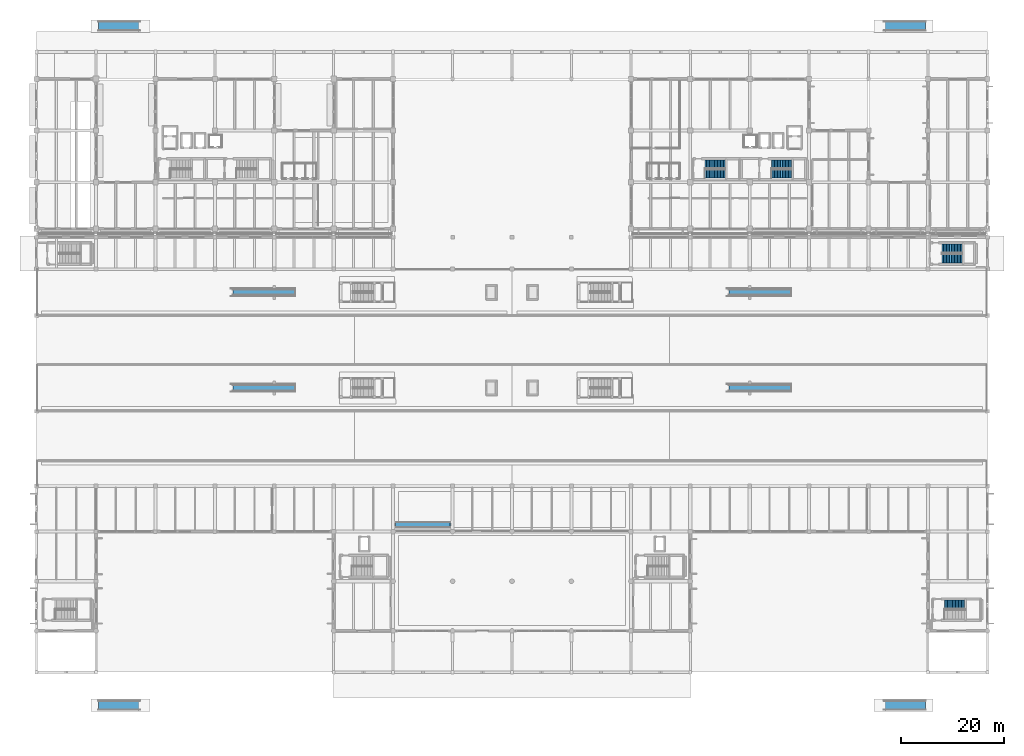
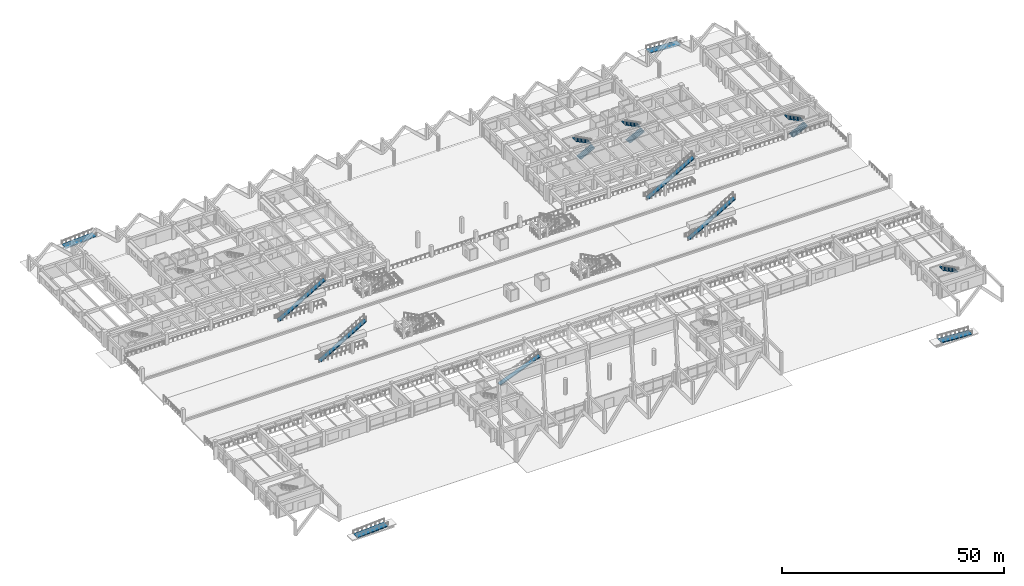
# One storey, part 94 of 109: 9 ramp flights, 7 stair flights, 13 elements without a shape of their own.
"""IFC4 building model written with IfcOpenShell, lengths in metres."""

from ifc_helpers import new_model, si_unit, direction, frame, origin, place, context, subcontext, project, spatial, polyline, outline, extrude, material, layer, layer_set, type_object, element, aggregate, save


model = new_model("IFC4")

# Units and contexts
model_context = context("Model", 3, precision=1e-05, world=origin(), true_north=direction((0.0, 1.0)))
body_context = subcontext(model_context, "Body", "Model", "MODEL_VIEW")
ifc_project = project(units=[si_unit("LENGTHUNIT", "METRE"), si_unit("AREAUNIT", "SQUARE_METRE"), si_unit("VOLUMEUNIT", "CUBIC_METRE"), si_unit("PLANEANGLEUNIT", "RADIAN"), si_unit("MASSUNIT", "GRAM", prefix="KILO")], contexts=[model_context])

# Site, building, storey
site_placement = place(None, origin())
site = spatial("IfcSite", under=ifc_project, at=site_placement, CompositionType="ELEMENT")
building_placement = place(site_placement, origin())
building = spatial("IfcBuilding", under=site, at=building_placement, Name="Ologun Quay Terminus", CompositionType="ELEMENT")
storey_placement = place(building_placement, origin())
storey = spatial("IfcBuildingStorey", under=building, at=storey_placement, Name="L00", CompositionType="ELEMENT", Elevation=0.0)

# Stair, stair flights
ifc_material_1 = material(Name="Concrete C40/50", Category="concrete")
stair_type_1 = type_object("IfcStairType", Name="Courtyard Wing Core Escape Stair 1700", PredefinedType="HALF_TURN_STAIR", material=ifc_material_1)
stair_1_placement = place(storey_placement, origin())
stair_1 = element("IfcStair", 1, at=stair_1_placement, inside=storey, type_object=stair_type_1, Name="ST-E1 Stair L00", PredefinedType="HALF_TURN_STAIR")
ifc_material_2 = material(Name="Concrete C40/50", Category="concrete")
stair_flight_type_1 = type_object("IfcStairFlightType", Name="Courtyard Wing Precast Concrete Stair Flight 1700", PredefinedType="STRAIGHT", material=ifc_material_2)
stair_flight_1_placement = place(storey_placement, frame((129.35009765625, 96.449951171875, 0.0), z_axis=(0.0, 0.0, 1.0), x_axis=(1.0, 0.0, 0.0)))
stair_flight_1 = element("IfcStairFlight", 2, at=stair_flight_1_placement, type_object=stair_flight_type_1, Name="ST-E1 Lower Flight L00", NumberOfRisers=14, NumberOfTreads=13, PredefinedType="STRAIGHT", RiserHeight=0.15, TreadLength=0.3, context=body_context, shape_type="SweptSolid", body=[
    extrude(outline(polyline([(0.0, 0.0), (0.0, 0.14990234375), (0.300048828125, 0.14990234375), (0.300048828125, 0.300048828125), (0.60009765625, 0.300048828125), (0.60009765625, 0.449951171875), (0.89990234375, 0.449951171875), (0.89990234375, 0.60009765625), (1.199951171875, 0.60009765625), (1.199951171875, 0.75), (1.5, 0.75), (1.5, 0.89990234375), (1.800048828125, 0.89990234375), (1.800048828125, 1.050048828125), (2.10009765625, 1.050048828125), (2.10009765625, 1.199951171875), (2.39990234375, 1.199951171875), (2.39990234375, 1.35009765625), (2.699951171875, 1.35009765625), (2.699951171875, 1.5), (3.0, 1.5), (3.0, 1.64990234375), (3.300048828125, 1.64990234375), (3.300048828125, 1.800048828125), (3.60009765625, 1.800048828125), (3.60009765625, 1.949951171875), (3.89990234375, 1.949951171875), (3.89990234375, 2.10009765625), (3.89990234375, 1.748779296875), (0.40234375, 0.0), (0.0, 0.0)])), frame((0.0, 0.85009765625, 0.0), z_axis=(0.0, -1.0, 0.0), x_axis=(1.0, 0.0, 0.0)), (0.0, 0.0, 1.0), 1.699951171875),
])
stair_flight_2_placement = place(storey_placement, frame((133.25, 98.25, 2.10009765625), z_axis=(0.0, 0.0, 1.0), x_axis=(-1.0, 0.0, 0.0)))
stair_flight_2 = element("IfcStairFlight", 3, at=stair_flight_2_placement, type_object=stair_flight_type_1, Name="ST-E1 Upper Flight L00", NumberOfRisers=14, NumberOfTreads=13, PredefinedType="STRAIGHT", RiserHeight=0.15, TreadLength=0.3, context=body_context, shape_type="SweptSolid", body=[
    extrude(outline(polyline([(0.0, 0.0), (0.0, 0.14990234375), (0.300048828125, 0.14990234375), (0.300048828125, 0.300048828125), (0.60009765625, 0.300048828125), (0.60009765625, 0.449951171875), (0.89990234375, 0.449951171875), (0.89990234375, 0.60009765625), (1.199951171875, 0.60009765625), (1.199951171875, 0.75), (1.5, 0.75), (1.5, 0.89990234375), (1.800048828125, 0.89990234375), (1.800048828125, 1.050048828125), (2.10009765625, 1.050048828125), (2.10009765625, 1.199951171875), (2.39990234375, 1.199951171875), (2.39990234375, 1.35009765625), (2.699951171875, 1.35009765625), (2.699951171875, 1.5), (3.0, 1.5), (3.0, 1.64990234375), (3.300048828125, 1.64990234375), (3.300048828125, 1.800048828125), (3.60009765625, 1.800048828125), (3.60009765625, 1.949951171875), (3.89990234375, 1.949951171875), (3.89990234375, 2.10009765625), (3.89990234375, 1.748779296875), (0.40234375, 0.0), (0.0, 0.0)])), frame((0.0, 0.85009765625, 0.0), z_axis=(0.0, -1.0, 0.0), x_axis=(1.0, 0.0, 0.0)), (0.0, 0.0, 1.0), 1.699951171875),
])
aggregate(stair_1, [stair_flight_1, stair_flight_2])

stair_2_placement = place(storey_placement, origin())
stair_2 = element("IfcStair", 4, at=stair_2_placement, inside=storey, type_object=stair_type_1, Name="ST-E2 Stair L00", PredefinedType="HALF_TURN_STAIR")
stair_flight_3_placement = place(storey_placement, frame((142.199951171875, 96.449951171875, 0.0), z_axis=(0.0, 0.0, 1.0), x_axis=(1.0, 0.0, 0.0)))
stair_flight_3 = element("IfcStairFlight", 5, at=stair_flight_3_placement, type_object=stair_flight_type_1, Name="ST-E2 Lower Flight L00", NumberOfRisers=14, NumberOfTreads=13, PredefinedType="STRAIGHT", RiserHeight=0.15, TreadLength=0.3, context=body_context, shape_type="SweptSolid", body=[
    extrude(outline(polyline([(0.0, 0.0), (0.0, 0.14990234375), (0.300048828125, 0.14990234375), (0.300048828125, 0.300048828125), (0.60009765625, 0.300048828125), (0.60009765625, 0.449951171875), (0.89990234375, 0.449951171875), (0.89990234375, 0.60009765625), (1.199951171875, 0.60009765625), (1.199951171875, 0.75), (1.5, 0.75), (1.5, 0.89990234375), (1.800048828125, 0.89990234375), (1.800048828125, 1.050048828125), (2.10009765625, 1.050048828125), (2.10009765625, 1.199951171875), (2.39990234375, 1.199951171875), (2.39990234375, 1.35009765625), (2.699951171875, 1.35009765625), (2.699951171875, 1.5), (3.0, 1.5), (3.0, 1.64990234375), (3.300048828125, 1.64990234375), (3.300048828125, 1.800048828125), (3.60009765625, 1.800048828125), (3.60009765625, 1.949951171875), (3.89990234375, 1.949951171875), (3.89990234375, 2.10009765625), (3.89990234375, 1.748779296875), (0.40234375, 0.0), (0.0, 0.0)])), frame((0.0, 0.85009765625, 0.0), z_axis=(0.0, -1.0, 0.0), x_axis=(1.0, 0.0, 0.0)), (0.0, 0.0, 1.0), 1.699951171875),
])
stair_flight_4_placement = place(storey_placement, frame((146.10009765625, 98.25, 2.10009765625), z_axis=(0.0, 0.0, 1.0), x_axis=(-1.0, 0.0, 0.0)))
stair_flight_4 = element("IfcStairFlight", 6, at=stair_flight_4_placement, type_object=stair_flight_type_1, Name="ST-E2 Upper Flight L00", NumberOfRisers=14, NumberOfTreads=13, PredefinedType="STRAIGHT", RiserHeight=0.15, TreadLength=0.3, context=body_context, shape_type="SweptSolid", body=[
    extrude(outline(polyline([(0.0, 0.0), (0.0, 0.14990234375), (0.300048828125, 0.14990234375), (0.300048828125, 0.300048828125), (0.60009765625, 0.300048828125), (0.60009765625, 0.449951171875), (0.89990234375, 0.449951171875), (0.89990234375, 0.60009765625), (1.199951171875, 0.60009765625), (1.199951171875, 0.75), (1.5, 0.75), (1.5, 0.89990234375), (1.800048828125, 0.89990234375), (1.800048828125, 1.050048828125), (2.10009765625, 1.050048828125), (2.10009765625, 1.199951171875), (2.39990234375, 1.199951171875), (2.39990234375, 1.35009765625), (2.699951171875, 1.35009765625), (2.699951171875, 1.5), (3.0, 1.5), (3.0, 1.64990234375), (3.300048828125, 1.64990234375), (3.300048828125, 1.800048828125), (3.60009765625, 1.800048828125), (3.60009765625, 1.949951171875), (3.89990234375, 1.949951171875), (3.89990234375, 2.10009765625), (3.89990234375, 1.748779296875), (0.40234375, 0.0), (0.0, 0.0)])), frame((0.0, 0.85009765625, 0.0), z_axis=(0.0, -1.0, 0.0), x_axis=(1.0, 0.0, 0.0)), (0.0, 0.0, 1.0), 1.699951171875),
])
aggregate(stair_2, [stair_flight_3, stair_flight_4])

# Stair, stair flight
ifc_material_3 = material(Name="Concrete C40/50", Category="concrete")
stair_type_2 = type_object("IfcStairType", Name="Station Concourse Escape Stair 1800", PredefinedType="HALF_TURN_STAIR", material=ifc_material_3)
stair_3_placement = place(storey_placement, origin())
stair_3 = element("IfcStair", 7, at=stair_3_placement, inside=storey, type_object=stair_type_2, Name="ST-S2 Stair L00", PredefinedType="HALF_TURN_STAIR")
ifc_material_4 = material(Name="Concrete C40/50", Category="concrete")
stair_flight_type_2 = type_object("IfcStairFlightType", Name="Station Precast Concrete Stair Flight 1800", PredefinedType="STRAIGHT", material=ifc_material_4)
stair_flight_5_placement = place(storey_placement, frame((179.60009765625, 13.050048828125, 2.10009765625), z_axis=(0.0, 0.0, 1.0), x_axis=(-1.0, 0.0, 0.0)))
stair_flight_5 = element("IfcStairFlight", 8, at=stair_flight_5_placement, type_object=stair_flight_type_2, Name="ST-S2 Upper Flight L00", NumberOfRisers=14, NumberOfTreads=13, PredefinedType="STRAIGHT", RiserHeight=0.15, TreadLength=0.3, context=body_context, shape_type="SweptSolid", body=[
    extrude(outline(polyline([(0.0, 0.0), (0.0, 0.14990234375), (0.300048828125, 0.14990234375), (0.300048828125, 0.300048828125), (0.60009765625, 0.300048828125), (0.60009765625, 0.449951171875), (0.89990234375, 0.449951171875), (0.89990234375, 0.60009765625), (1.199951171875, 0.60009765625), (1.199951171875, 0.75), (1.5, 0.75), (1.5, 0.89990234375), (1.800048828125, 0.89990234375), (1.800048828125, 1.050048828125), (2.10009765625, 1.050048828125), (2.10009765625, 1.199951171875), (2.39990234375, 1.199951171875), (2.39990234375, 1.35009765625), (2.699951171875, 1.35009765625), (2.699951171875, 1.5), (3.0, 1.5), (3.0, 1.64990234375), (3.300048828125, 1.64990234375), (3.300048828125, 1.800048828125), (3.60009765625, 1.800048828125), (3.60009765625, 1.949951171875), (3.89990234375, 1.949951171875), (3.89990234375, 2.10009765625), (3.89990234375, 1.7265625), (0.447021484375, 0.0), (0.0, 0.0)])), frame((0.0, 0.89990234375, 0.0), z_axis=(0.0, -1.0, 0.0), x_axis=(1.0, 0.0, 0.0)), (0.0, 0.0, 1.0), 1.800048828125),
])
aggregate(stair_3, [stair_flight_5])

# Stair, stair flights
stair_4_placement = place(storey_placement, origin())
stair_4 = element("IfcStair", 9, at=stair_4_placement, inside=storey, type_object=stair_type_2, Name="ST-NG2 Stair L00", PredefinedType="HALF_TURN_STAIR")
stair_flight_6_placement = place(storey_placement, frame((175.199951171875, 80.050048828125, 0.0), z_axis=(0.0, 0.0, 1.0), x_axis=(1.0, 0.0, 0.0)))
stair_flight_6 = element("IfcStairFlight", 10, at=stair_flight_6_placement, type_object=stair_flight_type_2, Name="ST-NG2 Lower Flight L00", NumberOfRisers=14, NumberOfTreads=13, PredefinedType="STRAIGHT", RiserHeight=0.15, TreadLength=0.3, context=body_context, shape_type="SweptSolid", body=[
    extrude(outline(polyline([(0.0, 0.0), (0.0, 0.14990234375), (0.300048828125, 0.14990234375), (0.300048828125, 0.300048828125), (0.60009765625, 0.300048828125), (0.60009765625, 0.449951171875), (0.89990234375, 0.449951171875), (0.89990234375, 0.60009765625), (1.199951171875, 0.60009765625), (1.199951171875, 0.75), (1.5, 0.75), (1.5, 0.89990234375), (1.800048828125, 0.89990234375), (1.800048828125, 1.050048828125), (2.10009765625, 1.050048828125), (2.10009765625, 1.199951171875), (2.39990234375, 1.199951171875), (2.39990234375, 1.35009765625), (2.699951171875, 1.35009765625), (2.699951171875, 1.5), (3.0, 1.5), (3.0, 1.64990234375), (3.300048828125, 1.64990234375), (3.300048828125, 1.800048828125), (3.60009765625, 1.800048828125), (3.60009765625, 1.949951171875), (3.89990234375, 1.949951171875), (3.89990234375, 2.10009765625), (3.89990234375, 1.7265625), (0.447021484375, 0.0), (0.0, 0.0)])), frame((0.0, 0.89990234375, 0.0), z_axis=(0.0, -1.0, 0.0), x_axis=(1.0, 0.0, 0.0)), (0.0, 0.0, 1.0), 1.800048828125),
])
stair_flight_7_placement = place(storey_placement, frame((179.10009765625, 81.949951171875, 2.10009765625), z_axis=(0.0, 0.0, 1.0), x_axis=(-1.0, 0.0, 0.0)))
stair_flight_7 = element("IfcStairFlight", 11, at=stair_flight_7_placement, type_object=stair_flight_type_2, Name="ST-NG2 Upper Flight L00", NumberOfRisers=14, NumberOfTreads=13, PredefinedType="STRAIGHT", RiserHeight=0.15, TreadLength=0.3, context=body_context, shape_type="SweptSolid", body=[
    extrude(outline(polyline([(0.0, 0.0), (0.0, 0.14990234375), (0.300048828125, 0.14990234375), (0.300048828125, 0.300048828125), (0.60009765625, 0.300048828125), (0.60009765625, 0.449951171875), (0.89990234375, 0.449951171875), (0.89990234375, 0.60009765625), (1.199951171875, 0.60009765625), (1.199951171875, 0.75), (1.5, 0.75), (1.5, 0.89990234375), (1.800048828125, 0.89990234375), (1.800048828125, 1.050048828125), (2.10009765625, 1.050048828125), (2.10009765625, 1.199951171875), (2.39990234375, 1.199951171875), (2.39990234375, 1.35009765625), (2.699951171875, 1.35009765625), (2.699951171875, 1.5), (3.0, 1.5), (3.0, 1.64990234375), (3.300048828125, 1.64990234375), (3.300048828125, 1.800048828125), (3.60009765625, 1.800048828125), (3.60009765625, 1.949951171875), (3.89990234375, 1.949951171875), (3.89990234375, 2.10009765625), (3.89990234375, 1.7265625), (0.447021484375, 0.0), (0.0, 0.0)])), frame((0.0, 0.89990234375, 0.0), z_axis=(0.0, -1.0, 0.0), x_axis=(1.0, 0.0, 0.0)), (0.0, 0.0, 1.0), 1.800048828125),
])
aggregate(stair_4, [stair_flight_6, stair_flight_7])

# Ramp, ramp flight
ifc_material_5 = material(Name="Concrete C40/50", Category="concrete")
ramp_type_1 = type_object("IfcRampType", Name="Accessible Quay Approach Ramp 1800", PredefinedType="STRAIGHT_RUN_RAMP", material=ifc_material_5)
ramp_1_placement = place(storey_placement, origin())
ramp_1 = element("IfcRamp", 12, at=ramp_1_placement, inside=storey, type_object=ramp_type_1, Name="Accessible Approach Ramp RMP-N-W", PredefinedType="STRAIGHT_RUN_RAMP")
ifc_material_6 = material(Name="Concrete C40/50", Category="concrete")
ifc_layer_1 = layer(ifc_material_6, 0.25)
ifc_layer_set_1 = layer_set([ifc_layer_1], Name="Concrete C40/50")
ramp_flight_type_1 = type_object("IfcRampFlightType", Name="Accessible Quay Approach Ramp 1800 Flight", PredefinedType="STRAIGHT", material=ifc_layer_set_1)
ramp_flight_1_placement = place(storey_placement, frame((12.0, 124.10009765625, -0.5), z_axis=(-0.062378286155, 0.0, 0.998052578483), x_axis=(0.998052578483, 0.0, 0.062378286155)))
ramp_flight_1 = element("IfcRampFlight", 13, at=ramp_flight_1_placement, type_object=ramp_flight_type_1, Name="Accessible Ramp Flight RMP-N-W", PredefinedType="STRAIGHT", context=body_context, shape_type="SweptSolid", body=[
    extrude(outline(polyline([(0.0, 0.0), (8.0156097709407, 0.0), (8.0156097709407, 1.7998046875), (0.0, 1.7998046875), (0.0, 0.0)])), origin(), (0.0, 0.0, -1.0), 0.25),
])
aggregate(ramp_1, [ramp_flight_1])

ramp_2_placement = place(storey_placement, origin())
ramp_2 = element("IfcRamp", 14, at=ramp_2_placement, inside=storey, type_object=ramp_type_1, Name="Accessible Approach Ramp RMP-N-E", PredefinedType="STRAIGHT_RUN_RAMP")
ramp_flight_2_placement = place(storey_placement, frame((172.0, 124.10009765625, -0.5), z_axis=(0.062378286155, 0.0, 0.998052578483), x_axis=(-0.998052578483, 0.0, 0.062378286155)))
ramp_flight_2 = element("IfcRampFlight", 15, at=ramp_flight_2_placement, type_object=ramp_flight_type_1, Name="Accessible Ramp Flight RMP-N-E", PredefinedType="STRAIGHT", context=body_context, shape_type="SweptSolid", body=[
    extrude(outline(polyline([(0.0, 0.0), (8.0156097709407, 0.0), (8.0156097709407, -1.7998046875), (0.0, -1.7998046875), (0.0, 0.0)])), origin(), (0.0, 0.0, -1.0), 0.25),
])
aggregate(ramp_2, [ramp_flight_2])

ramp_3_placement = place(storey_placement, origin())
ramp_3 = element("IfcRamp", 16, at=ramp_3_placement, inside=storey, type_object=ramp_type_1, Name="Accessible Approach Ramp RMP-S-W", PredefinedType="STRAIGHT_RUN_RAMP")
ramp_flight_3_placement = place(storey_placement, frame((12.0, -7.300048828125, -0.5), z_axis=(-0.062378286155, 0.0, 0.998052578483), x_axis=(0.998052578483, 0.0, 0.062378286155)))
ramp_flight_3 = element("IfcRampFlight", 17, at=ramp_flight_3_placement, type_object=ramp_flight_type_1, Name="Accessible Ramp Flight RMP-S-W", PredefinedType="STRAIGHT", context=body_context, shape_type="SweptSolid", body=[
    extrude(outline(polyline([(0.0, 0.0), (8.0156097709407, 0.0), (8.0156097709407, 1.800048828125), (0.0, 1.800048828125), (0.0, 0.0)])), origin(), (0.0, 0.0, -1.0), 0.25),
])
aggregate(ramp_3, [ramp_flight_3])

ramp_4_placement = place(storey_placement, origin())
ramp_4 = element("IfcRamp", 18, at=ramp_4_placement, inside=storey, type_object=ramp_type_1, Name="Accessible Approach Ramp RMP-S-E", PredefinedType="STRAIGHT_RUN_RAMP")
ramp_flight_4_placement = place(storey_placement, frame((172.0, -7.300048828125, -0.5), z_axis=(0.062378286155, 0.0, 0.998052578483), x_axis=(-0.998052578483, 0.0, 0.062378286155)))
ramp_flight_4 = element("IfcRampFlight", 19, at=ramp_flight_4_placement, type_object=ramp_flight_type_1, Name="Accessible Ramp Flight RMP-S-E", PredefinedType="STRAIGHT", context=body_context, shape_type="SweptSolid", body=[
    extrude(outline(polyline([(0.0, 0.0), (8.0156097709407, 0.0), (8.0156097709407, -1.800048828125), (0.0, -1.800048828125), (0.0, 0.0)])), origin(), (0.0, 0.0, -1.0), 0.25),
])
aggregate(ramp_4, [ramp_flight_4])

ifc_material_7 = material(Name="Steel S355", Category="steel")
ramp_type_2 = type_object("IfcRampType", Name="Escalator Inclined Structural Deck 1100", PredefinedType="STRAIGHT_RUN_RAMP", material=ifc_material_7)
ramp_5_placement = place(storey_placement, origin())
ramp_5 = element("IfcRamp", 20, at=ramp_5_placement, inside=storey, type_object=ramp_type_2, Name="Escalator Structural Ramp ESC-01", PredefinedType="STRAIGHT_RUN_RAMP")
ifc_material_8 = material(Name="Steel S355", Category="steel")
ifc_layer_2 = layer(ifc_material_8, 0.25)
ifc_layer_set_2 = layer_set([ifc_layer_2], Name="Steel S355")
ramp_flight_type_2 = type_object("IfcRampFlightType", Name="Escalator Inclined Structural Deck 1100 Flight", PredefinedType="STRAIGHT", material=ifc_layer_set_2)
ramp_flight_5_placement = place(storey_placement, frame((38.0, 54.449951171875, 1.25), z_axis=(-0.511856223752, 0.0, 0.859071129887), x_axis=(0.859071129887, 0.0, 0.511856223752)))
ramp_flight_5 = element("IfcRampFlight", 21, at=ramp_flight_5_placement, type_object=ramp_flight_type_2, Name="Escalator Deck Flight ESC-01", PredefinedType="STRAIGHT", context=body_context, shape_type="SweptSolid", body=[
    extrude(outline(polyline([(0.0, 0.0), (13.968575572518544, 0.0), (13.968575572518544, 1.10009765625), (0.0, 1.10009765625), (0.0, 0.0)])), origin(), (0.0, 0.0, -1.0), 0.25),
])
aggregate(ramp_5, [ramp_flight_5])

ramp_6_placement = place(storey_placement, origin())
ramp_6 = element("IfcRamp", 22, at=ramp_6_placement, inside=storey, type_object=ramp_type_2, Name="Escalator Structural Ramp ESC-02", PredefinedType="STRAIGHT_RUN_RAMP")
ramp_flight_6_placement = place(storey_placement, frame((134.0, 54.449951171875, 1.25), z_axis=(-0.511856223752, 0.0, 0.859071129887), x_axis=(0.859071129887, 0.0, 0.511856223752)))
ramp_flight_6 = element("IfcRampFlight", 23, at=ramp_flight_6_placement, type_object=ramp_flight_type_2, Name="Escalator Deck Flight ESC-02", PredefinedType="STRAIGHT", context=body_context, shape_type="SweptSolid", body=[
    extrude(outline(polyline([(0.0, 0.0), (13.968575572518544, 0.0), (13.968575572518544, 1.10009765625), (0.0, 1.10009765625), (0.0, 0.0)])), origin(), (0.0, 0.0, -1.0), 0.25),
])
aggregate(ramp_6, [ramp_flight_6])

ramp_7_placement = place(storey_placement, origin())
ramp_7 = element("IfcRamp", 24, at=ramp_7_placement, inside=storey, type_object=ramp_type_2, Name="Escalator Structural Ramp ESC-03", PredefinedType="STRAIGHT_RUN_RAMP")
ramp_flight_7_placement = place(storey_placement, frame((38.0, 72.949951171875, 1.25), z_axis=(-0.511856223752, 0.0, 0.859071129887), x_axis=(0.859071129887, 0.0, 0.511856223752)))
ramp_flight_7 = element("IfcRampFlight", 25, at=ramp_flight_7_placement, type_object=ramp_flight_type_2, Name="Escalator Deck Flight ESC-03", PredefinedType="STRAIGHT", context=body_context, shape_type="SweptSolid", body=[
    extrude(outline(polyline([(0.0, 0.0), (13.968575572518544, 0.0), (13.968575572518544, 1.10009765625), (0.0, 1.10009765625), (0.0, 0.0)])), origin(), (0.0, 0.0, -1.0), 0.25),
])
aggregate(ramp_7, [ramp_flight_7])

ramp_8_placement = place(storey_placement, origin())
ramp_8 = element("IfcRamp", 26, at=ramp_8_placement, inside=storey, type_object=ramp_type_2, Name="Escalator Structural Ramp ESC-04", PredefinedType="STRAIGHT_RUN_RAMP")
ramp_flight_8_placement = place(storey_placement, frame((134.0, 72.949951171875, 1.25), z_axis=(-0.511856223752, 0.0, 0.859071129887), x_axis=(0.859071129887, 0.0, 0.511856223752)))
ramp_flight_8 = element("IfcRampFlight", 27, at=ramp_flight_8_placement, type_object=ramp_flight_type_2, Name="Escalator Deck Flight ESC-04", PredefinedType="STRAIGHT", context=body_context, shape_type="SweptSolid", body=[
    extrude(outline(polyline([(0.0, 0.0), (13.968575572518544, 0.0), (13.968575572518544, 1.10009765625), (0.0, 1.10009765625), (0.0, 0.0)])), origin(), (0.0, 0.0, -1.0), 0.25),
])
aggregate(ramp_8, [ramp_flight_8])

ramp_9_placement = place(storey_placement, origin())
ramp_9 = element("IfcRamp", 28, at=ramp_9_placement, inside=storey, type_object=ramp_type_2, Name="Escalator Structural Ramp ESC-05", PredefinedType="STRAIGHT_RUN_RAMP")
ramp_flight_9_placement = place(storey_placement, frame((69.5, 27.949951171875, 0.0), z_axis=(-0.371386954196, 0.0, 0.92847817974), x_axis=(0.92847817974, 0.0, 0.371386954196)))
ramp_flight_9 = element("IfcRampFlight", 29, at=ramp_flight_9_placement, type_object=ramp_flight_type_2, Name="Escalator Deck Flight ESC-05", PredefinedType="STRAIGHT", context=body_context, shape_type="SweptSolid", body=[
    extrude(outline(polyline([(0.0, 0.0), (11.308827960762963, 0.0), (11.308827960762963, 1.10009765625), (0.0, 1.10009765625), (0.0, 0.0)])), origin(), (0.0, 0.0, -1.0), 0.25),
])
aggregate(ramp_9, [ramp_flight_9])

save(model, "model.ifc")
